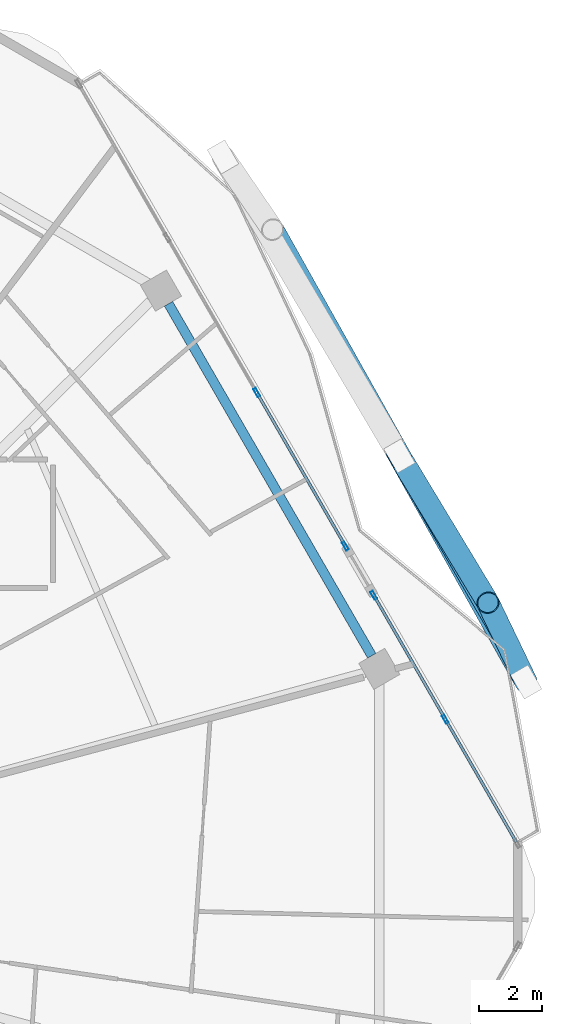
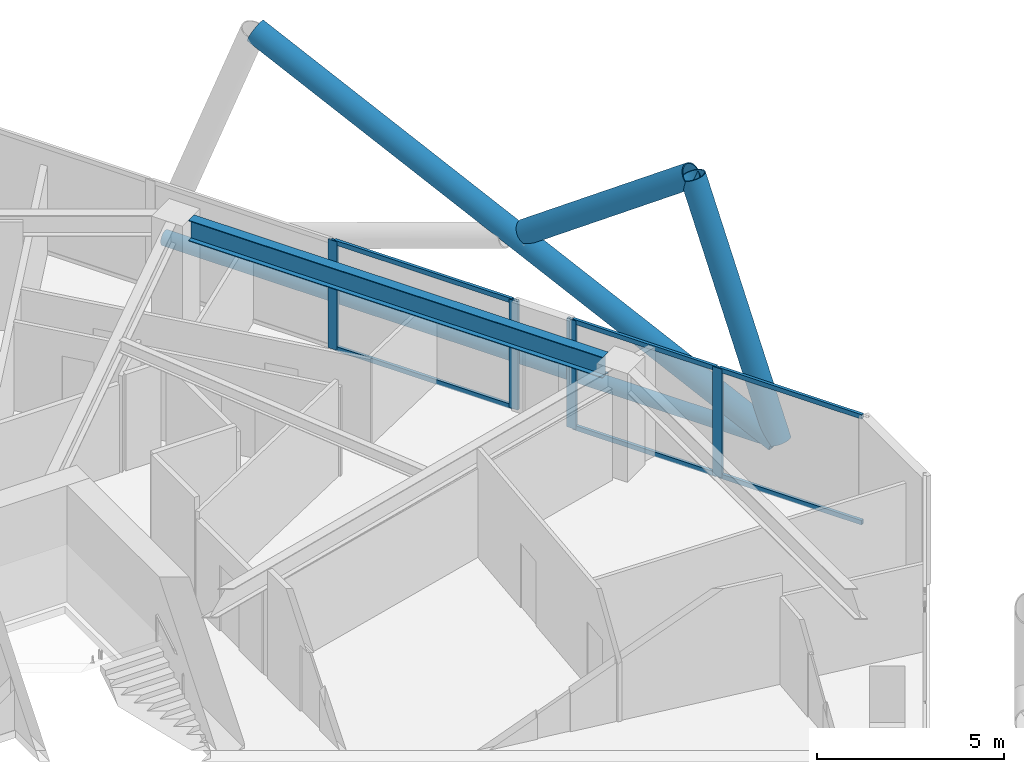
# One storey, part 16 of 29: 14 members, 1 beam, 2 elements without a shape of their own.
"""IFC4 building model written with IfcOpenShell, lengths in metres."""

from ifc_helpers import new_model, si_unit, direction, frame, origin, origin_2d, place, context, subcontext, project, spatial, hollow_rectangle, hollow_circle, i_section, extrude, material, material_profile, profile_set, type_object, element, aggregate, save


model = new_model("IFC4")

# Units and contexts
model_context = context("Model", 3, precision=1e-05, world=origin(), true_north=direction((0.0, 1.0)))
body_context = subcontext(model_context, "Body", "Model", "MODEL_VIEW")
ifc_project = project(units=[si_unit("LENGTHUNIT", "METRE"), si_unit("AREAUNIT", "SQUARE_METRE"), si_unit("VOLUMEUNIT", "CUBIC_METRE"), si_unit("PLANEANGLEUNIT", "RADIAN"), si_unit("MASSUNIT", "GRAM", prefix="KILO")], contexts=[model_context])

# Site, building, storey
site_placement = place(None, origin())
site = spatial("IfcSite", under=ifc_project, at=site_placement, CompositionType="ELEMENT")
building_placement = place(site_placement, origin())
building = spatial("IfcBuilding", under=site, at=building_placement, Name="Zuhravey Tower", CompositionType="ELEMENT")
storey_placement = place(building_placement, frame((0.0, 0.0, 192.199951171875)))
storey = spatial("IfcBuildingStorey", under=building, at=storey_placement, Name="L48", CompositionType="ELEMENT", Elevation=192.199951171875)

# Curtain wall, members
ifc_material_1 = material(Name="Thermally broken anodised aluminium", Category="aluminium")
curtain_wall_type = type_object("IfcCurtainWallType", Name="Zone 1-2 Residential Curtain Wall CW3", PredefinedType="NOTDEFINED", material=ifc_material_1)
curtain_wall_1_placement = place(storey_placement, origin())
curtain_wall_1 = element("IfcCurtainWall", 1, at=curtain_wall_1_placement, inside=storey, type_object=curtain_wall_type, Name="L48 CW3 CW-L48-F1-1", PredefinedType="NOTDEFINED")
ifc_material_2 = material(Name="Anodised aluminium", Category="aluminium")
ifc_material_profile_1 = material_profile(ifc_material_2, hollow_rectangle(XDim=0.090087890625, YDim=0.284912109375, WallThickness=0.0048828125, at=origin_2d()), Name="ALU-RHS-90x285x5")
ifc_profile_set_1 = profile_set([ifc_material_profile_1], Name="Anodised aluminium")
member_type_1 = type_object("IfcMemberType", Name="Curtain-Wall Mullion 90x180", PredefinedType="MULLION", material=ifc_profile_set_1)
member_1_placement = place(storey_placement, frame((58.245849609375, 47.835205078125, 0.0), z_axis=(0.0, 0.0, 1.0), x_axis=(0.866024234542, 0.500002025181, 0.0)))
member_1 = element("IfcMember", 2, at=member_1_placement, type_object=member_type_1, Name="CW3 mullion 3", PredefinedType="MULLION", context=body_context, shape_type="SweptSolid", body=[
    extrude(hollow_rectangle(XDim=0.090087890625, YDim=0.284912109375, WallThickness=0.0048828125, at=origin_2d()), origin(), (0.0, 0.0, 1.0), 3.550048828125),
])
member_2_placement = place(storey_placement, frame((61.041015625, 42.993896484375, 0.0), z_axis=(0.0, 0.0, 1.0), x_axis=(0.866024234542, 0.500002025181, 0.0)))
member_2 = element("IfcMember", 3, at=member_2_placement, type_object=member_type_1, Name="CW3 mullion 4", PredefinedType="MULLION", context=body_context, shape_type="SweptSolid", body=[
    extrude(hollow_rectangle(XDim=0.090087890625, YDim=0.284912109375, WallThickness=0.0048828125, at=origin_2d()), origin(), (0.0, 0.0, 1.0), 3.550048828125),
])

curtain_wall_2_placement = place(storey_placement, origin())
curtain_wall_2 = element("IfcCurtainWall", 4, at=curtain_wall_2_placement, inside=storey, type_object=curtain_wall_type, Name="L48 CW3 CW-L48-F1-2", PredefinedType="NOTDEFINED")
member_3_placement = place(storey_placement, frame((61.93603515625, 41.44384765625, 0.0), z_axis=(0.0, 0.0, 1.0), x_axis=(0.866027948664, 0.499995592113, 0.0)))
member_3 = element("IfcMember", 5, at=member_3_placement, type_object=member_type_1, Name="CW3 mullion 1", PredefinedType="MULLION", context=body_context, shape_type="SweptSolid", body=[
    extrude(hollow_rectangle(XDim=0.090087890625, YDim=0.284912109375, WallThickness=0.0048828125, at=origin_2d()), origin(), (0.0, 0.0, 1.0), 3.550048828125),
])
member_4_placement = place(storey_placement, frame((64.192626953125, 37.53515625, 0.0), z_axis=(0.0, 0.0, 1.0), x_axis=(0.866027948664, 0.499995592113, 0.0)))
member_4 = element("IfcMember", 6, at=member_4_placement, type_object=member_type_1, Name="CW3 mullion 2", PredefinedType="MULLION", context=body_context, shape_type="SweptSolid", body=[
    extrude(hollow_rectangle(XDim=0.090087890625, YDim=0.284912109375, WallThickness=0.0048828125, at=origin_2d()), origin(), (0.0, 0.0, 1.0), 3.550048828125),
])

# Member
ifc_material_profile_2 = material_profile(ifc_material_2, hollow_rectangle(XDim=0.090087890625, YDim=0.14990234375, WallThickness=0.0048828125, at=origin_2d()), Name="ALU-RHS-90x150x5")
ifc_profile_set_2 = profile_set([ifc_material_profile_2], Name="Anodised aluminium")
member_type_2 = type_object("IfcMemberType", Name="Curtain-Wall Transom 90x150", PredefinedType="USERDEFINED", material=ifc_profile_set_2)
member_5_placement = place(storey_placement, frame((58.268310546875, 47.796142578125, 0.045166015625), z_axis=(0.50002983664, -0.866008176907, 0.0), x_axis=(0.866008176907, 0.50002983664, 0.0)))
member_5 = element("IfcMember", 7, at=member_5_placement, type_object=member_type_2, Name="CW3 transom 3.1", ObjectType="TRANSOM", PredefinedType="USERDEFINED", context=body_context, shape_type="SweptSolid", body=[
    extrude(hollow_rectangle(XDim=0.090087890625, YDim=0.14990234375, WallThickness=0.0048828125, at=origin_2d()), origin(), (0.0, 0.0, 1.0), 5.500244140625),
])

member_6_placement = place(storey_placement, frame((58.268310546875, 47.796142578125, 3.505126953125), z_axis=(0.50002983664, -0.866008176907, 0.0), x_axis=(0.866008176907, 0.50002983664, 0.0)))
member_6 = element("IfcMember", 8, at=member_6_placement, type_object=member_type_2, Name="CW3 transom 3.2", ObjectType="TRANSOM", PredefinedType="USERDEFINED", context=body_context, shape_type="SweptSolid", body=[
    extrude(hollow_rectangle(XDim=0.090087890625, YDim=0.14990234375, WallThickness=0.0048828125, at=origin_2d()), origin(), (0.0, 0.0, 1.0), 5.500244140625),
])

aggregate(curtain_wall_1, [member_1, member_2, member_5, member_6])

member_7_placement = place(storey_placement, frame((61.95849609375, 41.40478515625, 0.045166015625), z_axis=(0.500015493684, -0.866016458317, 0.0), x_axis=(0.866016458317, 0.500015493684, 0.0)))
member_7 = element("IfcMember", 9, at=member_7_placement, type_object=member_type_2, Name="CW3 transom 1.1", ObjectType="TRANSOM", PredefinedType="USERDEFINED", context=body_context, shape_type="SweptSolid", body=[
    extrude(hollow_rectangle(XDim=0.090087890625, YDim=0.14990234375, WallThickness=0.0048828125, at=origin_2d()), origin(), (0.0, 0.0, 1.0), 4.423095703125),
])

member_8_placement = place(storey_placement, frame((61.95849609375, 41.40478515625, 3.505126953125), z_axis=(0.500015493684, -0.866016458317, 0.0), x_axis=(0.866016458317, 0.500015493684, 0.0)))
member_8 = element("IfcMember", 10, at=member_8_placement, type_object=member_type_2, Name="CW3 transom 1.2", ObjectType="TRANSOM", PredefinedType="USERDEFINED", context=body_context, shape_type="SweptSolid", body=[
    extrude(hollow_rectangle(XDim=0.090087890625, YDim=0.14990234375, WallThickness=0.0048828125, at=origin_2d()), origin(), (0.0, 0.0, 1.0), 4.423095703125),
])

member_9_placement = place(storey_placement, frame((64.215087890625, 37.49609375, 0.045166015625), z_axis=(0.500015493684, -0.866016458317, 0.0), x_axis=(0.866016458317, 0.500015493684, 0.0)))
member_9 = element("IfcMember", 11, at=member_9_placement, type_object=member_type_2, Name="CW3 transom 2.1", ObjectType="TRANSOM", PredefinedType="USERDEFINED", context=body_context, shape_type="SweptSolid", body=[
    extrude(hollow_rectangle(XDim=0.090087890625, YDim=0.14990234375, WallThickness=0.0048828125, at=origin_2d()), origin(), (0.0, 0.0, 1.0), 4.423095703125),
])

member_10_placement = place(storey_placement, frame((64.215087890625, 37.49609375, 3.505126953125), z_axis=(0.500015493684, -0.866016458317, 0.0), x_axis=(0.866016458317, 0.500015493684, 0.0)))
member_10 = element("IfcMember", 12, at=member_10_placement, type_object=member_type_2, Name="CW3 transom 2.2", ObjectType="TRANSOM", PredefinedType="USERDEFINED", context=body_context, shape_type="SweptSolid", body=[
    extrude(hollow_rectangle(XDim=0.090087890625, YDim=0.14990234375, WallThickness=0.0048828125, at=origin_2d()), origin(), (0.0, 0.0, 1.0), 4.423095703125),
])

aggregate(curtain_wall_2, [member_3, member_4, member_7, member_8, member_9, member_10])

# Members
ifc_material_3 = material(Name="Steel SM355", Category="steel")
ifc_material_profile_3 = material_profile(ifc_material_3, hollow_circle(Radius=0.228515625, WallThickness=0.02197265625, at=origin_2d()), Name="CHS-457.2x22")
ifc_profile_set_3 = profile_set([ifc_material_profile_3], Name="Steel SM355")
member_type_3 = type_object("IfcMemberType", Name="Exoskeleton Ring Tie CHS457x22", PredefinedType="CHORD", material=ifc_profile_set_3)
member_11_placement = place(storey_placement, frame((66.6650390625, 38.8330078125, -0.4638671875), z_axis=(-0.500004532627, 0.866022786855, 0.0), x_axis=(-0.866022786855, -0.500004532627, 0.0)))
element("IfcMember", 13, at=member_11_placement, inside=storey, type_object=member_type_3, Name="L48 Exoskeleton Face 1 Tie EXR1", PredefinedType="CHORD", context=body_context, shape_type="SweptSolid", body=[
    extrude(hollow_circle(Radius=0.228515625, WallThickness=0.02197265625, at=origin_2d()), origin(), (0.0, 0.0, 1.0), 18.829833984375),
])
ifc_material_4 = material(Name="Steel SM460", Category="steel")
ifc_material_profile_4 = material_profile(ifc_material_4, hollow_circle(Radius=0.355712890625, WallThickness=0.031982421875, at=origin_2d()), Name="CHS-711.2x32")
ifc_profile_set_4 = profile_set([ifc_material_profile_4], Name="Steel SM460")
member_type_4 = type_object("IfcMemberType", Name="Exoskeleton Zone 2 Diagrid CHS711x32", PredefinedType="BRACE", material=ifc_profile_set_4)
member_12_placement = place(storey_placement, frame((66.73193359375, 38.71826171875, -0.44384765625), z_axis=(-0.148933393196, 0.309815423516, 0.939059767929), x_axis=(-0.901270974333, -0.433255849153, 0.0)))
element("IfcMember", 14, at=member_12_placement, inside=storey, type_object=member_type_4, Name="L48 Face 1 Diagrid Brace 1", PredefinedType="BRACE", context=body_context, shape_type="SweptSolid", body=[
    extrude(hollow_circle(Radius=0.355712890625, WallThickness=0.031982421875, at=origin_2d()), origin(), (0.0, 0.0, 1.0), 8.05029296875),
])
member_13_placement = place(storey_placement, frame((66.7138671875, 38.749267578125, -0.44384765625), z_axis=(-0.443209909926, 0.790988981172, 0.421783602583), x_axis=(-0.872385585881, -0.488818360485, 0.0)))
element("IfcMember", 15, at=member_13_placement, inside=storey, type_object=member_type_4, Name="L48 Face 1 Diagrid Brace 2", PredefinedType="BRACE", context=body_context, shape_type="SweptSolid", body=[
    extrude(hollow_circle(Radius=0.355712890625, WallThickness=0.031982421875, at=origin_2d()), origin(), (0.0, 0.0, 1.0), 17.92333984375),
])
member_14_placement = place(storey_placement, frame((62.887939453125, 45.59619140625, 3.534912109375), z_axis=(0.422458831354, -0.699954370638, 0.575840615827), x_axis=(0.856148391059, 0.516730038306, 0.0)))
element("IfcMember", 16, at=member_14_placement, inside=storey, type_object=member_type_4, Name="L48 Face 1 Split Diagrid Brace 3B", PredefinedType="BRACE", context=body_context, shape_type="SweptSolid", body=[
    extrude(hollow_circle(Radius=0.355712890625, WallThickness=0.031982421875, at=origin_2d()), origin(), (0.0, 0.0, 1.0), 6.2060546875),
])

# Beam
ifc_material_profile_5 = material_profile(ifc_material_3, i_section(OverallWidth=0.300048828125, OverallDepth=0.679931640625, WebThickness=0.012939453125, FlangeThickness=0.02197265625, at=origin_2d()), Name="H-680x300x13x22")
ifc_profile_set_5 = profile_set([ifc_material_profile_5], Name="Steel SM355")
beam_type = type_object("IfcBeamType", Name="Perimeter Ring Beam H680x300", PredefinedType="BEAM", material=ifc_profile_set_5)
beam_placement = place(storey_placement, frame((61.86865234375, 39.54052734375, 3.2099609375), z_axis=(-0.500003505699, 0.866023379758, 0.0), x_axis=(-0.866023379758, -0.500003505699, 0.0)))
element("IfcBeam", 17, at=beam_placement, inside=storey, type_object=beam_type, Name="L48 PB2 BM-L48-PB-01", PredefinedType="BEAM", context=body_context, shape_type="SweptSolid", body=[
    extrude(i_section(OverallWidth=0.300048828125, OverallDepth=0.679931640625, WebThickness=0.012939453125, FlangeThickness=0.02197265625, at=origin_2d()), origin(), (0.0, 0.0, 1.0), 12.80810546875),
])

save(model, "model.ifc")
